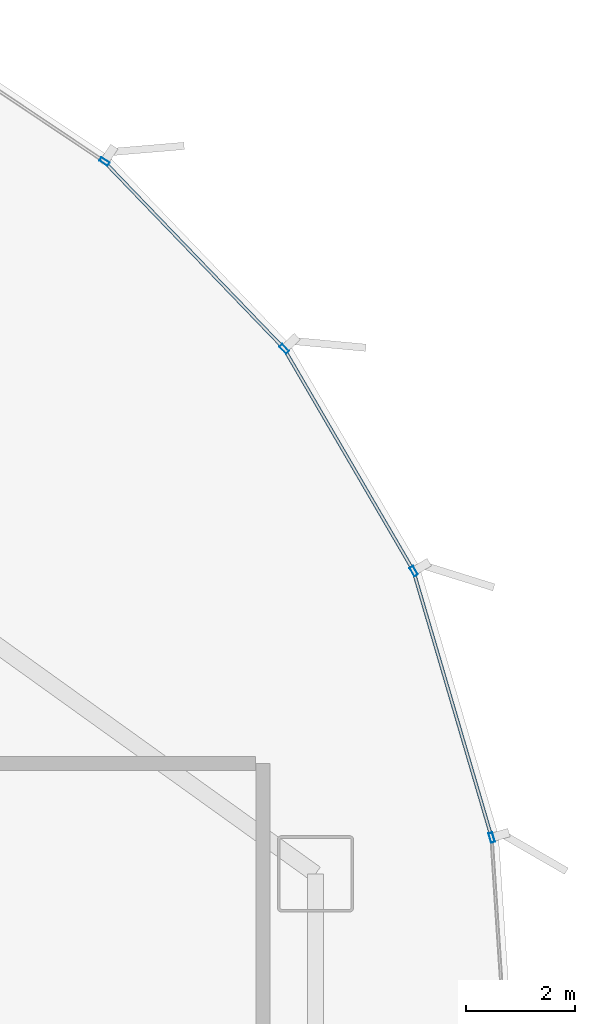
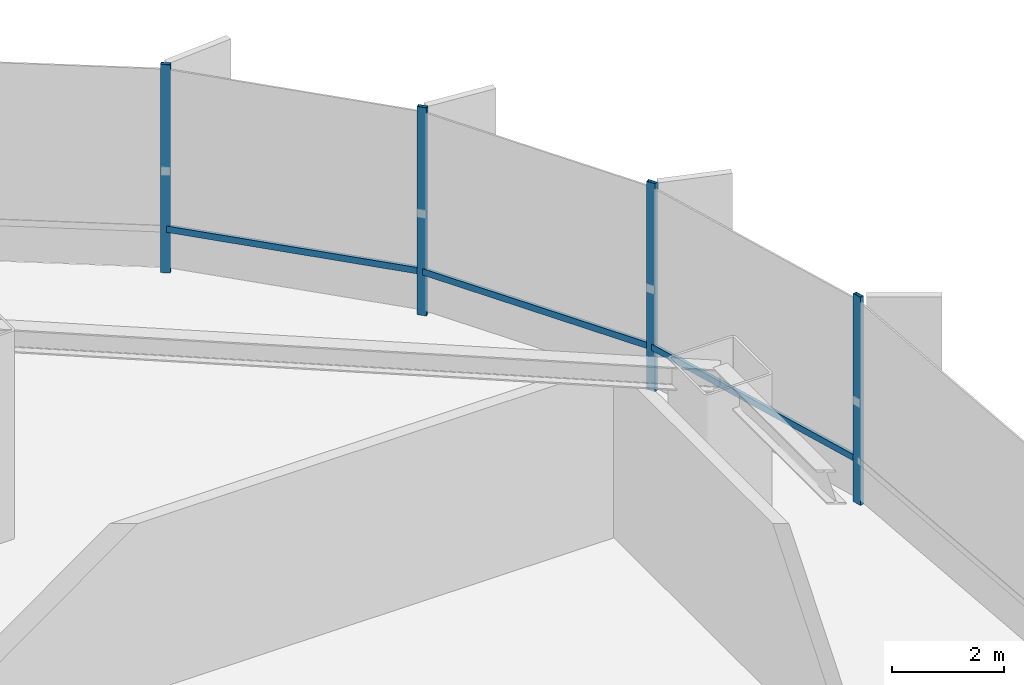
# One storey, part 20 of 33: 7 members, 1 element without a shape of its own.
"""IFC4 building model written with IfcOpenShell, lengths in metres."""

from ifc_helpers import new_model, si_unit, direction, frame, origin, origin_2d, place, context, subcontext, project, spatial, hollow_rectangle, extrude, source, transform, mapped, material, layer, layer_set, material_profile, profile_set, type_object, element, aggregate, save


model = new_model("IFC4")

# Units and contexts
model_context = context("Model", 3, precision=1e-05, world=origin(), true_north=direction((0.0, 1.0)))
body_context = subcontext(model_context, "Body", "Model", "MODEL_VIEW")
ifc_project = project(units=[si_unit("LENGTHUNIT", "METRE"), si_unit("AREAUNIT", "SQUARE_METRE"), si_unit("VOLUMEUNIT", "CUBIC_METRE"), si_unit("PLANEANGLEUNIT", "RADIAN"), si_unit("MASSUNIT", "GRAM", prefix="KILO"), si_unit("THERMODYNAMICTEMPERATUREUNIT", "KELVIN")], contexts=[model_context])

# Site, building, storey
site_placement = place(None, origin())
site = spatial("IfcSite", under=ifc_project, at=site_placement, CompositionType="ELEMENT")
building_placement = place(site_placement, origin())
building = spatial("IfcBuilding", under=site, at=building_placement, Name="Kethvar Cultural Tower", CompositionType="ELEMENT")
storey_placement = place(building_placement, frame((0.0, 0.0, 10.0)))
storey = spatial("IfcBuildingStorey", under=building, at=storey_placement, Name="L02", CompositionType="ELEMENT", Elevation=10.0)

# Curtain wall, members
ifc_material = material(Name="Aluminium 6063-T6", Category="aluminium")
ifc_layer = layer(ifc_material, 0.179931640625, Name="Aluminium 6063-T6", Category="aluminium")
ifc_layer_set = layer_set([ifc_layer], Name="Aluminium 6063-T6 (180 mm)")
curtain_wall_type = type_object("IfcCurtainWallType", Name="CW-SYS-01-POD", PredefinedType="NOTDEFINED", material=ifc_layer_set)
curtain_wall_placement = place(storey_placement, origin())
curtain_wall = element("IfcCurtainWall", 1, at=curtain_wall_placement, inside=storey, type_object=curtain_wall_type, Name="L02 Curtain Wall Run 01", PredefinedType="NOTDEFINED")
ifc_material_profile_1 = material_profile(ifc_material, hollow_rectangle(XDim=0.06005859375, YDim=0.139892578125, WallThickness=0.0048828125, at=origin_2d()), Name="Aluminium 6063-T6 — RHS140x60x5")
ifc_profile_set_1 = profile_set([ifc_material_profile_1], Name="Aluminium 6063-T6 — RHS140x60x5")
member_type_1 = type_object("IfcMemberType", Name="CW-SYS-01-POD-TRN", PredefinedType="USERDEFINED", material=ifc_profile_set_1)
shared_shape_1 = source(origin(), body_context, "Body", "SweptSolid", [
    extrude(hollow_rectangle(XDim=0.06005859375, YDim=0.139892578125, WallThickness=0.0048828125, at=origin_2d()), origin(), (0.0, 0.0, 1.0), 5.012451171875),
])
member_1_placement = place(storey_placement, frame((82.577880859375, 34.993896484375, 0.949951171875), z_axis=(-0.281770748473, 0.959481758714, 0.0), x_axis=(-0.959481758714, -0.281770748473, 0.0)))
member_1 = element("IfcMember", 2, at=member_1_placement, type_object=member_type_1, Name="CW-L02-R01 Transom 2", ObjectType="TRANSOM", PredefinedType="USERDEFINED", context=body_context, shape_type="MappedRepresentation", body=[
    mapped(shared_shape_1, transform((0.0, 0.0, 0.0), scale=1.0)),
])
shared_shape_2 = source(origin(), body_context, "Body", "SweptSolid", [
    extrude(hollow_rectangle(XDim=0.06005859375, YDim=0.139892578125, WallThickness=0.0048828125, at=origin_2d()), origin(), (0.0, 0.0, 1.0), 4.639892578125),
])
member_2_placement = place(storey_placement, frame((81.135498046875, 39.872802734375, 0.949951171875), z_axis=(-0.503504560489, 0.863992568004, 0.0), x_axis=(-0.863992568004, -0.503504560489, 0.0)))
member_2 = element("IfcMember", 3, at=member_2_placement, type_object=member_type_1, Name="CW-L02-R01 Transom 3", ObjectType="TRANSOM", PredefinedType="USERDEFINED", context=body_context, shape_type="MappedRepresentation", body=[
    mapped(shared_shape_2, transform((0.0, 0.0, 0.0), scale=1.0)),
])
shared_shape_3 = source(origin(), body_context, "Body", "SweptSolid", [
    extrude(hollow_rectangle(XDim=0.06005859375, YDim=0.139892578125, WallThickness=0.0048828125, at=origin_2d()), origin(), (0.0, 0.0, 1.0), 4.6826171875),
])
member_3_placement = place(storey_placement, frame((78.75341796875, 43.942626953125, 0.949951171875), z_axis=(-0.693341040309, 0.72060960431, 0.0), x_axis=(-0.72060960431, -0.693341040309, 0.0)))
member_3 = element("IfcMember", 4, at=member_3_placement, type_object=member_type_1, Name="CW-L02-R01 Transom 4", ObjectType="TRANSOM", PredefinedType="USERDEFINED", context=body_context, shape_type="MappedRepresentation", body=[
    mapped(shared_shape_3, transform((0.0, 0.0, 0.0), scale=1.0)),
])
ifc_material_profile_2 = material_profile(ifc_material, hollow_rectangle(XDim=0.074951171875, YDim=0.179931640625, WallThickness=0.006103515625, at=origin_2d()), Name="Aluminium 6063-T6 — RHS180x75x6")
ifc_profile_set_2 = profile_set([ifc_material_profile_2], Name="Aluminium 6063-T6 — RHS180x75x6")
member_type_2 = type_object("IfcMemberType", Name="CW-SYS-01-POD-MUL", PredefinedType="MULLION", material=ifc_profile_set_2)
shared_shape_4 = source(origin(), body_context, "Body", "SweptSolid", [
    extrude(hollow_rectangle(XDim=0.074951171875, YDim=0.179931640625, WallThickness=0.006103515625, at=origin_2d()), origin(), (0.0, 0.0, 1.0), 4.530029296875),
])
member_4_placement = place(storey_placement, frame((82.593017578125, 34.94189453125, 0.0), z_axis=(0.0, 0.0, 1.0), x_axis=(-0.959496102658, -0.28172190008, 0.0)))
member_4 = element("IfcMember", 5, at=member_4_placement, type_object=member_type_2, Name="CW-L02-R01 Mullion 2", PredefinedType="MULLION", context=body_context, shape_type="MappedRepresentation", body=[
    mapped(shared_shape_4, transform((0.0, 0.0, 0.0), scale=1.0)),
])
member_5_placement = place(storey_placement, frame((81.162841796875, 39.826171875, 0.0), z_axis=(0.0, 0.0, 1.0), x_axis=(-0.863984939927, -0.503517649721, 0.0)))
member_5 = element("IfcMember", 6, at=member_5_placement, type_object=member_type_2, Name="CW-L02-R01 Mullion 3", PredefinedType="MULLION", context=body_context, shape_type="MappedRepresentation", body=[
    mapped(shared_shape_4, transform((0.0, 0.0, 0.0), scale=1.0)),
])
member_6_placement = place(storey_placement, frame((78.790771484375, 43.90380859375, 0.0), z_axis=(0.0, 0.0, 1.0), x_axis=(-0.720611619661, -0.693338945689, 0.0)))
member_6 = element("IfcMember", 7, at=member_6_placement, type_object=member_type_2, Name="CW-L02-R01 Mullion 4", PredefinedType="MULLION", context=body_context, shape_type="MappedRepresentation", body=[
    mapped(shared_shape_4, transform((0.0, 0.0, 0.0), scale=1.0)),
])
member_7_placement = place(storey_placement, frame((75.49072265625, 47.337890625, 0.0), z_axis=(0.0, 0.0, 1.0), x_axis=(-0.556556649514, -0.830809662848, 0.0)))
member_7 = element("IfcMember", 8, at=member_7_placement, type_object=member_type_2, Name="CW-L02-R01 Mullion 5", PredefinedType="MULLION", context=body_context, shape_type="MappedRepresentation", body=[
    mapped(shared_shape_4, transform((0.0, 0.0, 0.0), scale=1.0)),
])
aggregate(curtain_wall, [member_4, member_5, member_6, member_7, member_1, member_2, member_3])

save(model, "model.ifc")
